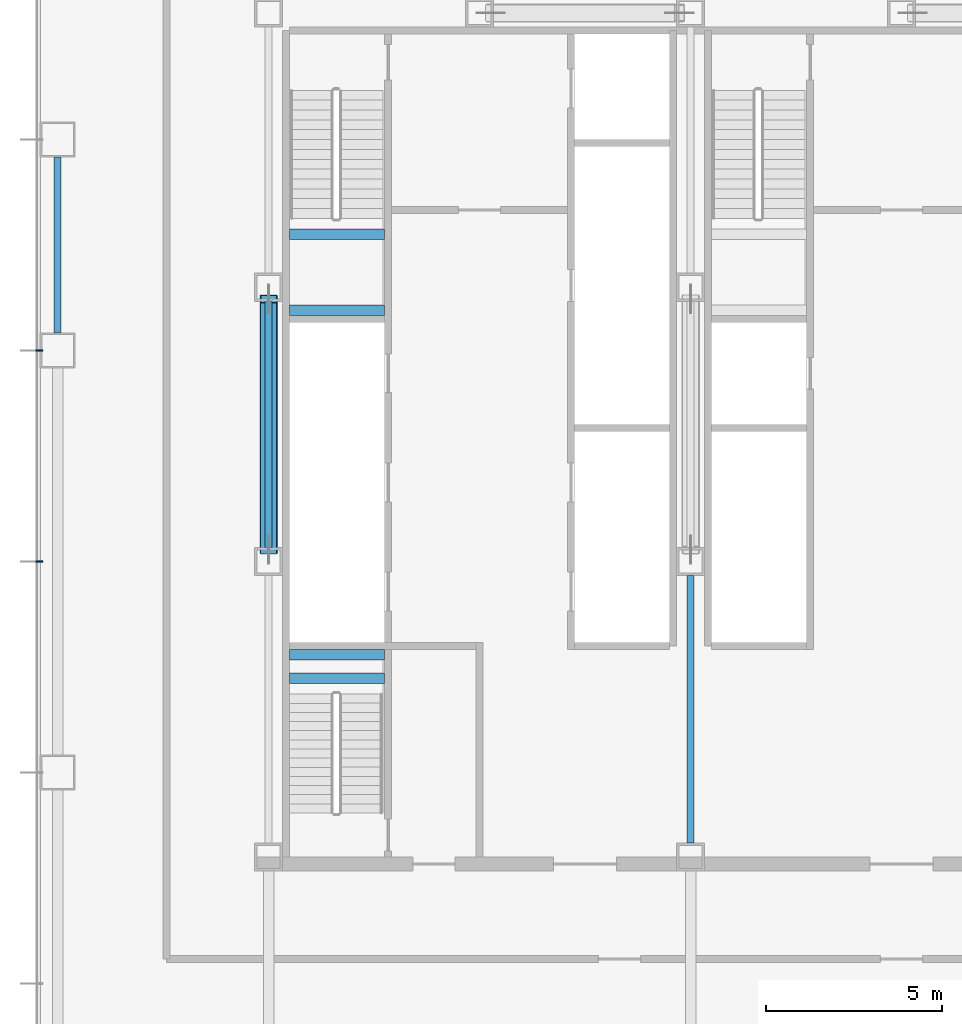
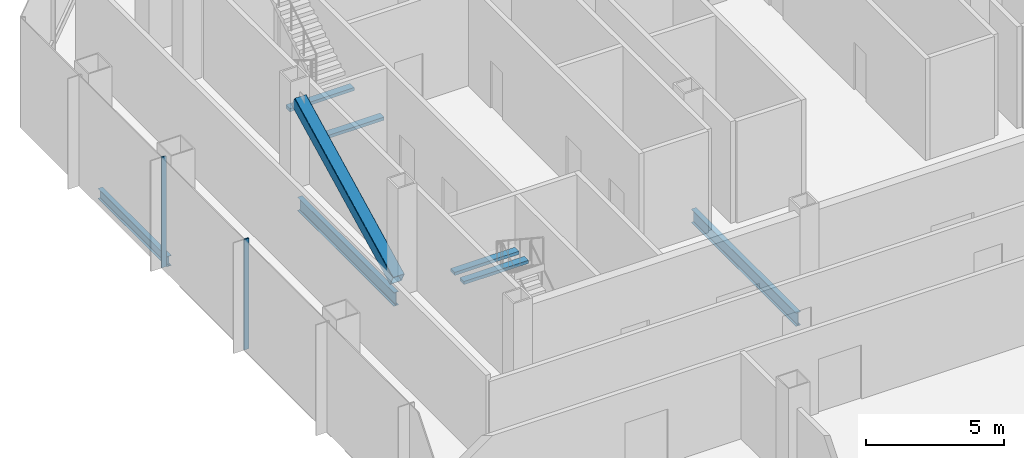
# One storey, part 11 of 34: 7 beams, 3 members, 1 element without a shape of its own.
"""IFC4 building model written with IfcOpenShell, lengths in metres."""

import ifcopenshell
import ifcopenshell.guid

model = None  # the IFC model being written
_history = None  # IfcOwnerHistory: only IFC2X3 demands one
_inside = {}  # id of a spatial element -> (the spatial element, [elements in it])
_under = {}  # id of a project, library or spatial element -> (it, [spatial elements below it])
_declared = {}  # id of a project -> (the project, [libraries it declares])
_typed = {}  # id of a type object -> (the type object, [elements of that type])
_made_of = {}  # id of a material, layer set ... -> (it, [elements and type objects made of it])


def new_model(schema):
    """Start an empty IFC model of exactly this schema.

    Asked for "IFC4X3", IfcOpenShell would pick the latest addendum, in which some entities
    have other attributes; the version numbers below select the first issue.
    IFC2X3 requires an IfcOwnerHistory on every rooted entity: one is made here for all.
    """
    global model, _history
    if schema == "IFC4X3":
        model = ifcopenshell.file(schema_version=(4, 3, 0, 0))
    else:
        model = ifcopenshell.file(schema=schema)
    _inside.clear()
    _under.clear()
    _declared.clear()
    _typed.clear()
    _made_of.clear()
    _history = None
    if model.schema == "IFC2X3":
        org = make("IfcOrganization", Name="unknown")
        user = make(
            "IfcPersonAndOrganization",
            ThePerson=make("IfcPerson", FamilyName="unknown"),
            TheOrganization=org,
        )
        app = make(
            "IfcApplication",
            ApplicationDeveloper=org,
            Version="unknown",
            ApplicationFullName="unknown",
            ApplicationIdentifier="unknown",
        )
        _history = make(
            "IfcOwnerHistory",
            OwningUser=user,
            OwningApplication=app,
            ChangeAction="ADDED",
            CreationDate=0,
        )
    return model


def make(cls, **values):
    """One entity of the class cls with the attributes given. An attribute that is None is left unset."""
    return model.create_entity(
        cls, **{name: value for name, value in values.items() if value is not None}
    )


def rooted(cls, **values):
    """An entity with a GlobalId (a new one), such as an element, a storey or a relation."""
    return make(cls, GlobalId=ifcopenshell.guid.new(), OwnerHistory=_history, **values)


def si_unit(unit_type, name, prefix=None):
    """IfcSIUnit, for example si_unit("LENGTHUNIT", "METRE", prefix="MILLI")."""
    return make("IfcSIUnit", UnitType=unit_type, Prefix=prefix, Name=name)


def assignment(units):
    """IfcUnitAssignment: the units of a project."""
    return None if units is None else make("IfcUnitAssignment", Units=units)


def point(xyz):
    """IfcCartesianPoint."""
    return None if xyz is None else make("IfcCartesianPoint", Coordinates=xyz)


def direction(xyz):
    """IfcDirection."""
    return None if xyz is None else make("IfcDirection", DirectionRatios=xyz)


def frame(location, z_axis=None, x_axis=None):
    """IfcAxis2Placement3D, a coordinate frame: its origin and axes. An axis left out is left unset."""
    return make(
        "IfcAxis2Placement3D",
        Location=point(location),
        Axis=direction(z_axis),
        RefDirection=direction(x_axis),
    )


def frame_2d(location, x_axis=None):
    """IfcAxis2Placement2D, a coordinate frame in the plane: its origin and x axis."""
    return make(
        "IfcAxis2Placement2D", Location=point(location), RefDirection=direction(x_axis)
    )


def origin():
    """The frame at (0, 0, 0) with its axes left unset."""
    return frame((0.0, 0.0, 0.0))


def origin_2d():
    """The frame at (0, 0) in the plane with its x axis left unset."""
    return frame_2d((0.0, 0.0))


def place(relative_to, where):
    """IfcLocalPlacement: puts the frame where relative to a parent placement (None: the world)."""
    return make(
        "IfcLocalPlacement", PlacementRelTo=relative_to, RelativePlacement=where
    )


def context(
    kind, dimensions, precision=None, world=None, true_north=None, identifier=None
):
    """IfcGeometricRepresentationContext, for example the 3D "Model" context."""
    return make(
        "IfcGeometricRepresentationContext",
        ContextIdentifier=identifier,
        ContextType=kind,
        CoordinateSpaceDimension=dimensions,
        Precision=precision,
        WorldCoordinateSystem=world,
        TrueNorth=true_north,
    )


def subcontext(parent, identifier, kind, view, scale=None):
    """IfcGeometricRepresentationSubContext, for example "Body" below "Model"."""
    return make(
        "IfcGeometricRepresentationSubContext",
        ContextIdentifier=identifier,
        ContextType=kind,
        ParentContext=parent,
        TargetScale=scale,
        TargetView=view,
    )


def project(units=None, contexts=None):
    """IfcProject with its units and contexts."""
    return rooted(
        "IfcProject",
        Name="project",
        RepresentationContexts=contexts,
        UnitsInContext=assignment(units),
    )


def spatial(cls, under=None, at=None, **own):
    """A site, building, storey or space (cls), placed at a placement, below another one or the project."""
    s = rooted(cls, ObjectPlacement=at, **own)
    if under is not None:
        _under.setdefault(under.id(), (under, []))[1].append(s)
    return s


def profile(cls, at=None, kind="AREA", **sizes):
    """A parametric profile (cls). Its sizes go by their IFC names, for example OverallWidth=200.0."""
    return make(cls, ProfileType=kind, Position=at, **sizes)


def rectangle(**sizes):
    """IfcRectangleProfileDef."""
    return profile("IfcRectangleProfileDef", **sizes)


def hollow_rectangle(**sizes):
    """IfcRectangleHollowProfileDef."""
    return profile("IfcRectangleHollowProfileDef", **sizes)


def i_section(**sizes):
    """IfcIShapeProfileDef."""
    return profile("IfcIShapeProfileDef", **sizes)


def extrude(swept, where, along, depth):
    """IfcExtrudedAreaSolid: the profile swept, set in the frame where, extruded along a direction by depth."""
    return make(
        "IfcExtrudedAreaSolid",
        SweptArea=swept,
        Position=where,
        ExtrudedDirection=direction(along),
        Depth=depth,
    )


def shape(context_of_items, identifier, shape_type, items):
    """IfcShapeRepresentation: the items that make up one representation, for example the "Body"."""
    return make(
        "IfcShapeRepresentation",
        ContextOfItems=context_of_items,
        RepresentationIdentifier=identifier,
        RepresentationType=shape_type,
        Items=items,
    )


def material(Name=None, Category=None):
    """IfcMaterial."""
    return make("IfcMaterial", Name=Name, Category=Category)


def material_profile(
    of_material, cross_section, Name=None, Category=None, Priority=None
):
    """IfcMaterialProfile: a cross section and its material."""
    return make(
        "IfcMaterialProfile",
        Name=Name,
        Material=of_material,
        Profile=cross_section,
        Priority=Priority,
        Category=Category,
    )


def profile_set(profiles, Name=None, composite=None):
    """IfcMaterialProfileSet."""
    return make(
        "IfcMaterialProfileSet",
        Name=Name,
        MaterialProfiles=profiles,
        CompositeProfile=composite,
    )


def made_of(thing, what):
    """Note that an element or type object is made of a material, layer set ...; save() writes the relation."""
    if what is not None:
        _made_of.setdefault(what.id(), (what, []))[1].append(thing)
    return thing


def type_object(cls, material=None, **own):
    """A type object (cls), such as IfcWallType, which elements share."""
    return made_of(rooted(cls, **own), material)


def element(
    cls,
    number,
    at=None,
    inside=None,
    cuts=None,
    type_object=None,
    material=None,
    context=None,
    identifier="Body",
    shape_type=None,
    held_by="IfcProductDefinitionShape",
    body=None,
    shapes=None,
    **own,
):
    """One element of the class cls, such as IfcWall. Its Tag is "e" and its number.

    at: its placement. inside: the storey or other place that contains it. cuts: it is an
    opening in that element (IfcRelVoidsElement). A single representation is given by context,
    identifier, shape_type and body (its items); several are given by shapes. held_by: the class
    of the entity that holds the representations. save() writes the other relations.
    """
    e = rooted(cls, Tag="e%d" % number, ObjectPlacement=at, **own)
    if body is not None:
        shapes = [shape(context, identifier, shape_type, body)]
    if shapes is not None:
        e.Representation = make(held_by, Representations=shapes)
    if inside is not None:
        _inside.setdefault(inside.id(), (inside, []))[1].append(e)
    if cuts is not None:
        rooted(
            "IfcRelVoidsElement", RelatingBuildingElement=cuts, RelatedOpeningElement=e
        )
    if type_object is not None:
        _typed.setdefault(type_object.id(), (type_object, []))[1].append(e)
    return made_of(e, material)


def aggregate(whole, parts):
    """IfcRelAggregates: a whole, such as a stair, and the parts it consists of."""
    return rooted("IfcRelAggregates", RelatingObject=whole, RelatedObjects=parts)


def save(model, path):
    """Write the relations noted so far, then the file.

    IfcRelAggregates (storeys below a building ...), IfcRelContainedInSpatialStructure (elements
    in a storey), IfcRelDefinesByType, IfcRelAssociatesMaterial and IfcRelDeclares: one each for
    every whole, place, type object, material and project.
    """
    for whole, parts in _under.values():
        aggregate(whole, parts)
    for where, things in _inside.values():
        rooted(
            "IfcRelContainedInSpatialStructure",
            RelatedElements=things,
            RelatingStructure=where,
        )
    for kind, things in _typed.values():
        rooted("IfcRelDefinesByType", RelatedObjects=things, RelatingType=kind)
    for what, things in _made_of.values():
        rooted("IfcRelAssociatesMaterial", RelatedObjects=things, RelatingMaterial=what)
    for by, libraries in _declared.values():
        rooted("IfcRelDeclares", RelatingContext=by, RelatedDefinitions=libraries)
    model.write(path)


model = new_model("IFC4")

# Units and contexts
model_context = context("Model", 3, precision=1e-05, world=origin(), true_north=direction((0.0, 1.0)))
body_context = subcontext(model_context, "Body", "Model", "MODEL_VIEW")
ifc_project = project(units=[si_unit("LENGTHUNIT", "METRE"), si_unit("AREAUNIT", "SQUARE_METRE"), si_unit("VOLUMEUNIT", "CUBIC_METRE"), si_unit("PLANEANGLEUNIT", "RADIAN"), si_unit("MASSUNIT", "GRAM", prefix="KILO")], contexts=[model_context])

# Site, building, storey
site_placement = place(None, origin())
site = spatial("IfcSite", under=ifc_project, at=site_placement, CompositionType="ELEMENT")
building_placement = place(site_placement, origin())
building = spatial("IfcBuilding", under=site, at=building_placement, Name="Sorahane Residences", CompositionType="ELEMENT")
storey_placement = place(building_placement, frame((0.0, 0.0, 39.60009765625)))
storey = spatial("IfcBuildingStorey", under=building, at=storey_placement, Name="L06", CompositionType="ELEMENT", Elevation=39.60009765625)

# Member
ifc_material_1 = material(Name="Steel Q355B", Category="steel")
ifc_material_profile_1 = material_profile(ifc_material_1, hollow_rectangle(XDim=0.5, YDim=0.5, WallThickness=0.02490234375, InnerFilletRadius=0.012451171875, OuterFilletRadius=0.03759765625, at=origin_2d()), Name="RHS 500x500x25")
ifc_profile_set_1 = profile_set([ifc_material_profile_1], Name="Steel Q355B")
member_type_1 = type_object("IfcMemberType", Name="Core brace RHS 500x500x25 Q355B", PredefinedType="BRACE", material=ifc_profile_set_1)
member_1_placement = place(storey_placement, frame((6.0, 30.332275390625, 0.215576171875), z_axis=(0.0, 0.891867740531, 0.452296289395), x_axis=(-1.0, 0.0, 0.0)))
element("IfcMember", 1, at=member_1_placement, inside=storey, type_object=member_type_1, Name="Core brace L06 x6-2", PredefinedType="BRACE", context=body_context, shape_type="SweptSolid", body=[
    extrude(hollow_rectangle(XDim=0.5, YDim=0.5, WallThickness=0.02490234375, InnerFilletRadius=0.012451171875, OuterFilletRadius=0.03759765625, at=origin_2d()), origin(), (0.0, 0.0, 1.0), 8.000732421875),
])

# Curtain wall, members
ifc_material_2 = material(Name="Dark low-e glass and black anodised aluminium", Category="aluminium")
curtain_wall_type = type_object("IfcCurtainWallType", Name="Curtain wall CW-3 Podium unitised wall", PredefinedType="NOTDEFINED", material=ifc_material_2)
curtain_wall_placement = place(storey_placement, origin())
curtain_wall = element("IfcCurtainWall", 2, at=curtain_wall_placement, inside=storey, type_object=curtain_wall_type, Name="CW-3 curtain wall L06 W1", PredefinedType="NOTDEFINED")
ifc_material_3 = material(Name="Black anodised aluminium", Category="aluminium")
ifc_material_profile_2 = material_profile(ifc_material_3, rectangle(XDim=0.199951171875, YDim=0.050048828125, at=origin_2d()), Name="Curtain wall mullion CW-3 black anodised aluminium 50x200")
ifc_profile_set_2 = profile_set([ifc_material_profile_2], Name="Black anodised aluminium")
member_type_2 = type_object("IfcMemberType", Name="Curtain wall mullion CW-3 black anodised aluminium 50x200", PredefinedType="MULLION", material=ifc_profile_set_2)
member_2_placement = place(storey_placement, frame((-0.52001953125, 36.0, -0.400146484375), z_axis=(0.0, 0.0, 1.0), x_axis=(-1.0, 0.0, 0.0)))
member_2 = element("IfcMember", 3, at=member_2_placement, type_object=member_type_2, Name="CW-3 mullion L06 W1.3", PredefinedType="MULLION", context=body_context, shape_type="SweptSolid", body=[
    extrude(rectangle(XDim=0.199951171875, YDim=0.050048828125, at=origin_2d()), origin(), (0.0, 0.0, 1.0), 4.900146484375),
])
member_3_placement = place(storey_placement, frame((-0.52001953125, 30.0, -0.400146484375), z_axis=(0.0, 0.0, 1.0), x_axis=(-1.0, 0.0, 0.0)))
member_3 = element("IfcMember", 4, at=member_3_placement, type_object=member_type_2, Name="CW-3 mullion L06 W1.4", PredefinedType="MULLION", context=body_context, shape_type="SweptSolid", body=[
    extrude(rectangle(XDim=0.199951171875, YDim=0.050048828125, at=origin_2d()), origin(), (0.0, 0.0, 1.0), 4.900146484375),
])
aggregate(curtain_wall, [member_2, member_3])

# Beams
ifc_material_4 = material(Name="Concrete C40", Category="concrete")
ifc_material_profile_3 = material_profile(ifc_material_4, rectangle(XDim=0.300048828125, YDim=0.139892578125, at=origin_2d()), Name="300x140")
ifc_profile_set_3 = profile_set([ifc_material_profile_3], Name="Concrete C40")
beam_type_1 = type_object("IfcBeamType", Name="RC landing beam 300 x 140 Concrete C40", PredefinedType="BEAM", material=ifc_profile_set_3)
for number, where, z_axis, x_axis, name in (
    (5, (6.60009765625, 37.14990234375, 2.1298828125), (1.0, 0.0, 0.0), (0.0, 1.0, 0.0), "Landing beam"),
    (6, (6.60009765625, 39.31005859375, 2.1298828125), (1.0, 0.0, 0.0), (0.0, 1.0, 0.0), "Landing beam"),
    (7, (6.60009765625, 26.679931640625, 2.1298828125), (1.0, 0.0, 0.0), (0.0, 1.0, 0.0), "Landing beam"),
    (8, (6.60009765625, 27.35009765625, 2.1298828125), (1.0, 0.0, 0.0), (0.0, 1.0, 0.0), "Landing beam"),
):
    element("IfcBeam", number, at=place(storey_placement, frame(where, z_axis=z_axis, x_axis=x_axis)), inside=storey, type_object=beam_type_1, Name=name, PredefinedType="BEAM", context=body_context, shape_type="SweptSolid", body=[
        extrude(rectangle(XDim=0.300048828125, YDim=0.139892578125, at=origin_2d()), origin(), (0.0, 0.0, 1.0), 2.699951171875),
    ])
ifc_material_5 = material(Name="Steel Q355B", Category="steel")
ifc_material_profile_4 = material_profile(ifc_material_5, i_section(OverallWidth=0.199951171875, OverallDepth=0.449951171875, WebThickness=0.009033203125, FlangeThickness=0.013916015625, FilletRadius=0.02001953125, at=origin_2d()), Name="HN 450x200x9x14")
ifc_profile_set_4 = profile_set([ifc_material_profile_4], Name="Steel Q355B")
beam_type_2 = type_object("IfcBeamType", Name="Steel floor beam HN 450x200x9x14 Q355B", PredefinedType="BEAM", material=ifc_profile_set_4)
beam_1_placement = place(storey_placement, frame((0.0, 36.5, -0.625), z_axis=(0.0, 1.0, 0.0), x_axis=(-1.0, 0.0, 0.0)))
element("IfcBeam", 9, at=beam_1_placement, inside=storey, type_object=beam_type_2, Name="Beam L06 028", PredefinedType="BEAM", context=body_context, shape_type="SweptSolid", body=[
    extrude(i_section(OverallWidth=0.199951171875, OverallDepth=0.449951171875, WebThickness=0.009033203125, FlangeThickness=0.013916015625, FilletRadius=0.02001953125, at=origin_2d()), origin(), (0.0, 0.0, 1.0), 5.0),
])
ifc_material_6 = material(Name="Steel Q355B", Category="steel")
ifc_material_profile_5 = material_profile(ifc_material_6, i_section(OverallWidth=0.199951171875, OverallDepth=0.60009765625, WebThickness=0.010986328125, FlangeThickness=0.01708984375, FilletRadius=0.02392578125, at=origin_2d()), Name="HN 600x200x11x17")
ifc_profile_set_5 = profile_set([ifc_material_profile_5], Name="Steel Q355B")
beam_type_3 = type_object("IfcBeamType", Name="Steel floor beam HN 600x200x11x17 Q355B", PredefinedType="BEAM", material=ifc_profile_set_5)
beam_2_placement = place(storey_placement, frame((6.0, 30.39990234375, -0.7001953125), z_axis=(0.0, 1.0, 0.0), x_axis=(-1.0, 0.0, 0.0)))
element("IfcBeam", 10, at=beam_2_placement, inside=storey, type_object=beam_type_3, Name="Beam L06 032", PredefinedType="BEAM", context=body_context, shape_type="SweptSolid", body=[
    extrude(i_section(OverallWidth=0.199951171875, OverallDepth=0.60009765625, WebThickness=0.010986328125, FlangeThickness=0.01708984375, FilletRadius=0.02392578125, at=origin_2d()), origin(), (0.0, 0.0, 1.0), 7.0),
])
beam_3_placement = place(storey_placement, frame((18.0, 22.0, -0.7001953125), z_axis=(0.0, 1.0, 0.0), x_axis=(-1.0, 0.0, 0.0)))
element("IfcBeam", 11, at=beam_3_placement, inside=storey, type_object=beam_type_3, Name="Beam L06 040", PredefinedType="BEAM", context=body_context, shape_type="SweptSolid", body=[
    extrude(i_section(OverallWidth=0.199951171875, OverallDepth=0.60009765625, WebThickness=0.010986328125, FlangeThickness=0.01708984375, FilletRadius=0.02392578125, at=origin_2d()), origin(), (0.0, 0.0, 1.0), 7.60009765625),
])

save(model, "model.ifc")
